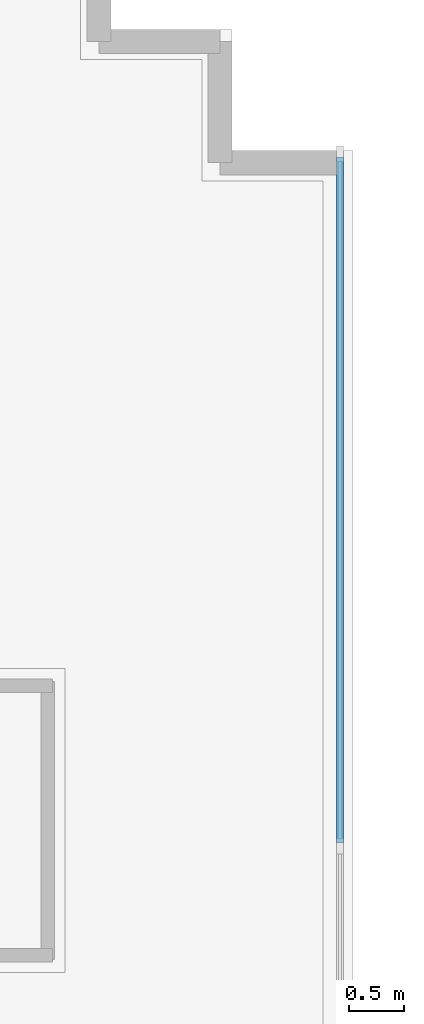
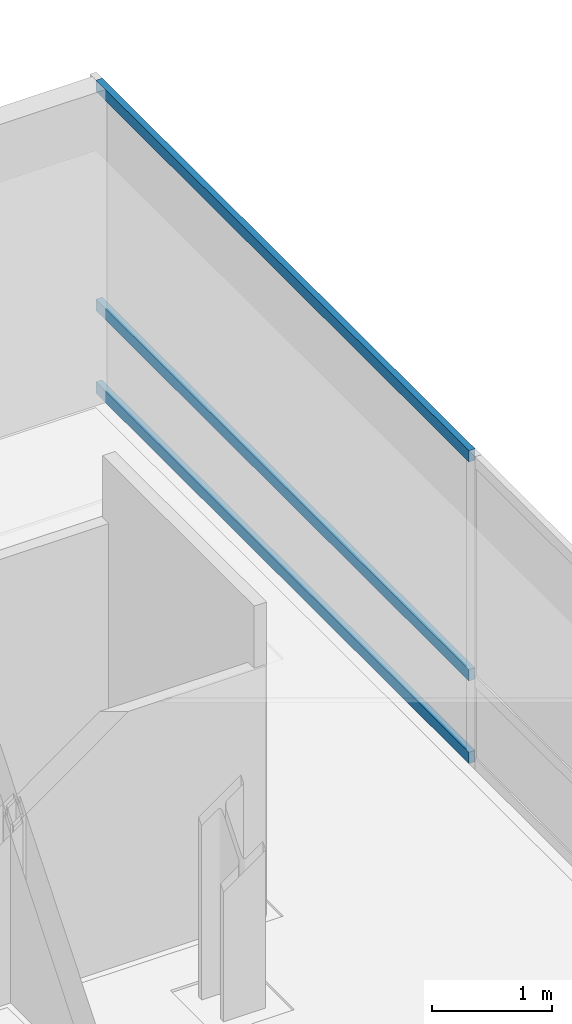
# One storey, part 7 of 19: 3 members, 1 element without a shape of its own.
"""IFC4 building model written with IfcOpenShell, lengths in metres."""

from ifc_helpers import new_model, si_unit, direction, frame, origin, origin_2d, place, context, subcontext, project, spatial, rectangle, extrude, material, material_profile, profile_set, type_object, element, aggregate, save


model = new_model("IFC4")

# Units and contexts
model_context = context("Model", 3, precision=1e-05, world=origin(), true_north=direction((0.0, 1.0)))
body_context = subcontext(model_context, "Body", "Model", "MODEL_VIEW")
ifc_project = project(units=[si_unit("LENGTHUNIT", "METRE"), si_unit("AREAUNIT", "SQUARE_METRE"), si_unit("VOLUMEUNIT", "CUBIC_METRE"), si_unit("PLANEANGLEUNIT", "RADIAN"), si_unit("MASSUNIT", "GRAM", prefix="KILO")], contexts=[model_context])

# Site, building, storey
site_placement = place(None, origin())
site = spatial("IfcSite", under=ifc_project, at=site_placement, CompositionType="ELEMENT")
building_placement = place(site_placement, origin())
building = spatial("IfcBuilding", under=site, at=building_placement, Name="Solmavex Isthmus Hotel", CompositionType="ELEMENT")
storey_placement = place(building_placement, frame((0.0, 0.0, 262.64990234375)))
storey = spatial("IfcBuildingStorey", under=building, at=storey_placement, Name="L71", CompositionType="ELEMENT", Elevation=262.64990234375)

# Curtain wall, members
ifc_material = material(Name="Aluminium alloy 6063-T6", Category="aluminium")
curtain_wall_type = type_object("IfcCurtainWallType", Name="CW-SYS-06", PredefinedType="NOTDEFINED", material=ifc_material)
curtain_wall_placement = place(storey_placement, origin())
curtain_wall = element("IfcCurtainWall", 1, at=curtain_wall_placement, inside=storey, type_object=curtain_wall_type, Name="Stick Curtain Wall CWL-L71-E1", PredefinedType="NOTDEFINED")
ifc_material_profile = material_profile(ifc_material, rectangle(XDim=0.06005859375, YDim=0.114990234375, at=origin_2d()), Name="CWT-60X115")
ifc_profile_set = profile_set([ifc_material_profile], Name="Aluminium alloy 6063-T6")
member_type = type_object("IfcMemberType", Name="CW-SYS-06-TRN", PredefinedType="USERDEFINED", material=ifc_profile_set)
member_1_placement = place(storey_placement, frame((23.8798828125, 12.81005859375, 0.0576171875), z_axis=(0.0, 1.0, 0.0), x_axis=(-1.0, 0.0, 0.0)))
member_1 = element("IfcMember", 2, at=member_1_placement, type_object=member_type, Name="CW-06 transom 5.1", ObjectType="TRANSOM", PredefinedType="USERDEFINED", context=body_context, shape_type="SweptSolid", body=[
    extrude(rectangle(XDim=0.06005859375, YDim=0.114990234375, at=origin_2d()), origin(), (0.0, 0.0, 1.0), 6.22998046875),
])
member_2_placement = place(storey_placement, frame((23.8798828125, 12.81005859375, 0.900146484375), z_axis=(0.0, 1.0, 0.0), x_axis=(-1.0, 0.0, 0.0)))
member_2 = element("IfcMember", 3, at=member_2_placement, type_object=member_type, Name="CW-06 transom 5.2", ObjectType="TRANSOM", PredefinedType="USERDEFINED", context=body_context, shape_type="SweptSolid", body=[
    extrude(rectangle(XDim=0.06005859375, YDim=0.114990234375, at=origin_2d()), origin(), (0.0, 0.0, 1.0), 6.22998046875),
])
member_3_placement = place(storey_placement, frame((23.8798828125, 12.81005859375, 3.132568359375), z_axis=(0.0, 1.0, 0.0), x_axis=(-1.0, 0.0, 0.0)))
member_3 = element("IfcMember", 4, at=member_3_placement, type_object=member_type, Name="CW-06 transom 5.3", ObjectType="TRANSOM", PredefinedType="USERDEFINED", context=body_context, shape_type="SweptSolid", body=[
    extrude(rectangle(XDim=0.06005859375, YDim=0.114990234375, at=origin_2d()), origin(), (0.0, 0.0, 1.0), 6.22998046875),
])
aggregate(curtain_wall, [member_1, member_2, member_3])

save(model, "model.ifc")
